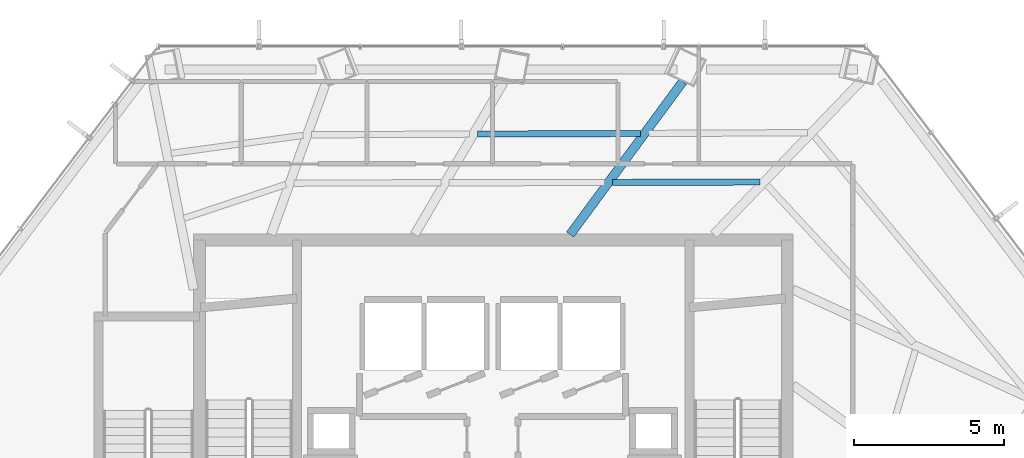
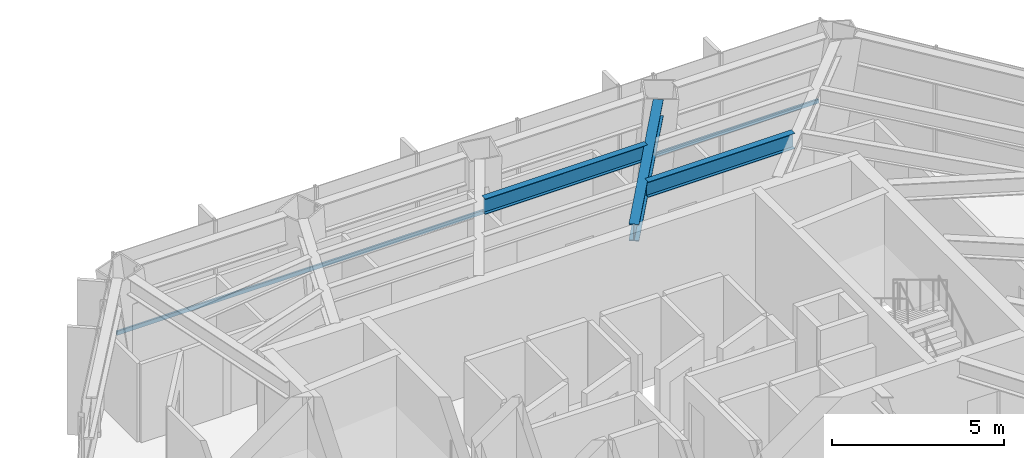
# One storey, part 15 of 26: 3 beams, 1 member, 1 element without a shape of its own.
"""IFC4 building model written with IfcOpenShell, lengths in metres."""

import ifcopenshell
import ifcopenshell.guid

model = None  # the IFC model being written
_history = None  # IfcOwnerHistory: only IFC2X3 demands one
_inside = {}  # id of a spatial element -> (the spatial element, [elements in it])
_under = {}  # id of a project, library or spatial element -> (it, [spatial elements below it])
_declared = {}  # id of a project -> (the project, [libraries it declares])
_typed = {}  # id of a type object -> (the type object, [elements of that type])
_made_of = {}  # id of a material, layer set ... -> (it, [elements and type objects made of it])


def new_model(schema):
    """Start an empty IFC model of exactly this schema.

    Asked for "IFC4X3", IfcOpenShell would pick the latest addendum, in which some entities
    have other attributes; the version numbers below select the first issue.
    IFC2X3 requires an IfcOwnerHistory on every rooted entity: one is made here for all.
    """
    global model, _history
    if schema == "IFC4X3":
        model = ifcopenshell.file(schema_version=(4, 3, 0, 0))
    else:
        model = ifcopenshell.file(schema=schema)
    _inside.clear()
    _under.clear()
    _declared.clear()
    _typed.clear()
    _made_of.clear()
    _history = None
    if model.schema == "IFC2X3":
        org = make("IfcOrganization", Name="unknown")
        user = make(
            "IfcPersonAndOrganization",
            ThePerson=make("IfcPerson", FamilyName="unknown"),
            TheOrganization=org,
        )
        app = make(
            "IfcApplication",
            ApplicationDeveloper=org,
            Version="unknown",
            ApplicationFullName="unknown",
            ApplicationIdentifier="unknown",
        )
        _history = make(
            "IfcOwnerHistory",
            OwningUser=user,
            OwningApplication=app,
            ChangeAction="ADDED",
            CreationDate=0,
        )
    return model


def make(cls, **values):
    """One entity of the class cls with the attributes given. An attribute that is None is left unset."""
    return model.create_entity(
        cls, **{name: value for name, value in values.items() if value is not None}
    )


def rooted(cls, **values):
    """An entity with a GlobalId (a new one), such as an element, a storey or a relation."""
    return make(cls, GlobalId=ifcopenshell.guid.new(), OwnerHistory=_history, **values)


def si_unit(unit_type, name, prefix=None):
    """IfcSIUnit, for example si_unit("LENGTHUNIT", "METRE", prefix="MILLI")."""
    return make("IfcSIUnit", UnitType=unit_type, Prefix=prefix, Name=name)


def assignment(units):
    """IfcUnitAssignment: the units of a project."""
    return None if units is None else make("IfcUnitAssignment", Units=units)


def point(xyz):
    """IfcCartesianPoint."""
    return None if xyz is None else make("IfcCartesianPoint", Coordinates=xyz)


def direction(xyz):
    """IfcDirection."""
    return None if xyz is None else make("IfcDirection", DirectionRatios=xyz)


def frame(location, z_axis=None, x_axis=None):
    """IfcAxis2Placement3D, a coordinate frame: its origin and axes. An axis left out is left unset."""
    return make(
        "IfcAxis2Placement3D",
        Location=point(location),
        Axis=direction(z_axis),
        RefDirection=direction(x_axis),
    )


def frame_2d(location, x_axis=None):
    """IfcAxis2Placement2D, a coordinate frame in the plane: its origin and x axis."""
    return make(
        "IfcAxis2Placement2D", Location=point(location), RefDirection=direction(x_axis)
    )


def origin():
    """The frame at (0, 0, 0) with its axes left unset."""
    return frame((0.0, 0.0, 0.0))


def origin_2d():
    """The frame at (0, 0) in the plane with its x axis left unset."""
    return frame_2d((0.0, 0.0))


def place(relative_to, where):
    """IfcLocalPlacement: puts the frame where relative to a parent placement (None: the world)."""
    return make(
        "IfcLocalPlacement", PlacementRelTo=relative_to, RelativePlacement=where
    )


def context(
    kind, dimensions, precision=None, world=None, true_north=None, identifier=None
):
    """IfcGeometricRepresentationContext, for example the 3D "Model" context."""
    return make(
        "IfcGeometricRepresentationContext",
        ContextIdentifier=identifier,
        ContextType=kind,
        CoordinateSpaceDimension=dimensions,
        Precision=precision,
        WorldCoordinateSystem=world,
        TrueNorth=true_north,
    )


def subcontext(parent, identifier, kind, view, scale=None):
    """IfcGeometricRepresentationSubContext, for example "Body" below "Model"."""
    return make(
        "IfcGeometricRepresentationSubContext",
        ContextIdentifier=identifier,
        ContextType=kind,
        ParentContext=parent,
        TargetScale=scale,
        TargetView=view,
    )


def project(units=None, contexts=None):
    """IfcProject with its units and contexts."""
    return rooted(
        "IfcProject",
        Name="project",
        RepresentationContexts=contexts,
        UnitsInContext=assignment(units),
    )


def spatial(cls, under=None, at=None, **own):
    """A site, building, storey or space (cls), placed at a placement, below another one or the project."""
    s = rooted(cls, ObjectPlacement=at, **own)
    if under is not None:
        _under.setdefault(under.id(), (under, []))[1].append(s)
    return s


def profile(cls, at=None, kind="AREA", **sizes):
    """A parametric profile (cls). Its sizes go by their IFC names, for example OverallWidth=200.0."""
    return make(cls, ProfileType=kind, Position=at, **sizes)


def hollow_rectangle(**sizes):
    """IfcRectangleHollowProfileDef."""
    return profile("IfcRectangleHollowProfileDef", **sizes)


def i_section(**sizes):
    """IfcIShapeProfileDef."""
    return profile("IfcIShapeProfileDef", **sizes)


def extrude(swept, where, along, depth):
    """IfcExtrudedAreaSolid: the profile swept, set in the frame where, extruded along a direction by depth."""
    return make(
        "IfcExtrudedAreaSolid",
        SweptArea=swept,
        Position=where,
        ExtrudedDirection=direction(along),
        Depth=depth,
    )


def shape(context_of_items, identifier, shape_type, items):
    """IfcShapeRepresentation: the items that make up one representation, for example the "Body"."""
    return make(
        "IfcShapeRepresentation",
        ContextOfItems=context_of_items,
        RepresentationIdentifier=identifier,
        RepresentationType=shape_type,
        Items=items,
    )


def material(Name=None, Category=None):
    """IfcMaterial."""
    return make("IfcMaterial", Name=Name, Category=Category)


def layer(
    of_material, thickness, ventilated=None, Name=None, Category=None, Priority=None
):
    """IfcMaterialLayer: one layer of a wall or slab, of a material (None: an air gap)."""
    return make(
        "IfcMaterialLayer",
        Material=of_material,
        LayerThickness=thickness,
        IsVentilated=ventilated,
        Name=Name,
        Category=Category,
        Priority=Priority,
    )


def layer_set(layers, Name=None):
    """IfcMaterialLayerSet."""
    return make("IfcMaterialLayerSet", MaterialLayers=layers, LayerSetName=Name)


def material_profile(
    of_material, cross_section, Name=None, Category=None, Priority=None
):
    """IfcMaterialProfile: a cross section and its material."""
    return make(
        "IfcMaterialProfile",
        Name=Name,
        Material=of_material,
        Profile=cross_section,
        Priority=Priority,
        Category=Category,
    )


def profile_set(profiles, Name=None, composite=None):
    """IfcMaterialProfileSet."""
    return make(
        "IfcMaterialProfileSet",
        Name=Name,
        MaterialProfiles=profiles,
        CompositeProfile=composite,
    )


def made_of(thing, what):
    """Note that an element or type object is made of a material, layer set ...; save() writes the relation."""
    if what is not None:
        _made_of.setdefault(what.id(), (what, []))[1].append(thing)
    return thing


def type_object(cls, material=None, **own):
    """A type object (cls), such as IfcWallType, which elements share."""
    return made_of(rooted(cls, **own), material)


def element(
    cls,
    number,
    at=None,
    inside=None,
    cuts=None,
    type_object=None,
    material=None,
    context=None,
    identifier="Body",
    shape_type=None,
    held_by="IfcProductDefinitionShape",
    body=None,
    shapes=None,
    **own,
):
    """One element of the class cls, such as IfcWall. Its Tag is "e" and its number.

    at: its placement. inside: the storey or other place that contains it. cuts: it is an
    opening in that element (IfcRelVoidsElement). A single representation is given by context,
    identifier, shape_type and body (its items); several are given by shapes. held_by: the class
    of the entity that holds the representations. save() writes the other relations.
    """
    e = rooted(cls, Tag="e%d" % number, ObjectPlacement=at, **own)
    if body is not None:
        shapes = [shape(context, identifier, shape_type, body)]
    if shapes is not None:
        e.Representation = make(held_by, Representations=shapes)
    if inside is not None:
        _inside.setdefault(inside.id(), (inside, []))[1].append(e)
    if cuts is not None:
        rooted(
            "IfcRelVoidsElement", RelatingBuildingElement=cuts, RelatedOpeningElement=e
        )
    if type_object is not None:
        _typed.setdefault(type_object.id(), (type_object, []))[1].append(e)
    return made_of(e, material)


def aggregate(whole, parts):
    """IfcRelAggregates: a whole, such as a stair, and the parts it consists of."""
    return rooted("IfcRelAggregates", RelatingObject=whole, RelatedObjects=parts)


def save(model, path):
    """Write the relations noted so far, then the file.

    IfcRelAggregates (storeys below a building ...), IfcRelContainedInSpatialStructure (elements
    in a storey), IfcRelDefinesByType, IfcRelAssociatesMaterial and IfcRelDeclares: one each for
    every whole, place, type object, material and project.
    """
    for whole, parts in _under.values():
        aggregate(whole, parts)
    for where, things in _inside.values():
        rooted(
            "IfcRelContainedInSpatialStructure",
            RelatedElements=things,
            RelatingStructure=where,
        )
    for kind, things in _typed.values():
        rooted("IfcRelDefinesByType", RelatedObjects=things, RelatingType=kind)
    for what, things in _made_of.values():
        rooted("IfcRelAssociatesMaterial", RelatedObjects=things, RelatingMaterial=what)
    for by, libraries in _declared.values():
        rooted("IfcRelDeclares", RelatingContext=by, RelatedDefinitions=libraries)
    model.write(path)


model = new_model("IFC4")

# Units and contexts
model_context = context("Model", 3, precision=1e-05, world=origin(), true_north=direction((0.0, 1.0)))
body_context = subcontext(model_context, "Body", "Model", "MODEL_VIEW")
ifc_project = project(units=[si_unit("LENGTHUNIT", "METRE"), si_unit("AREAUNIT", "SQUARE_METRE"), si_unit("VOLUMEUNIT", "CUBIC_METRE"), si_unit("PLANEANGLEUNIT", "RADIAN"), si_unit("MASSUNIT", "GRAM", prefix="KILO")], contexts=[model_context])

# Site, building, storey
site_placement = place(None, origin())
site = spatial("IfcSite", under=ifc_project, at=site_placement, CompositionType="ELEMENT")
building_placement = place(site_placement, origin())
building = spatial("IfcBuilding", under=site, at=building_placement, Name="Zarrinselat Tower", CompositionType="ELEMENT")
storey_placement = place(building_placement, frame((0.0, 0.0, 60.179931640625)))
storey = spatial("IfcBuildingStorey", under=building, at=storey_placement, Name="L14", CompositionType="ELEMENT", Elevation=60.179931640625)

# Beams
ifc_material_1 = material(Name="Steel S355J2", Category="steel")
ifc_material_profile_1 = material_profile(ifc_material_1, i_section(OverallWidth=0.300048828125, OverallDepth=0.60009765625, WebThickness=0.015380859375, FlangeThickness=0.030029296875, at=origin_2d()), Name="HEB 600")
ifc_profile_set_1 = profile_set([ifc_material_profile_1], Name="Steel S355J2")
beam_type_1 = type_object("IfcBeamType", Name="BM-HEB600", PredefinedType="BEAM", material=ifc_profile_set_1)
beam_1_placement = place(storey_placement, frame((41.0, 43.639892578125, 3.52001953125), z_axis=(0.593087649851, 0.80513790098, 0.0), x_axis=(-0.80513790098, 0.593087649851, 0.0)))
element("IfcBeam", 1, at=beam_1_placement, inside=storey, type_object=beam_type_1, Name="L14 Radial Primary Girder RG02", PredefinedType="BEAM", context=body_context, shape_type="SweptSolid", body=[
    extrude(i_section(OverallWidth=0.300048828125, OverallDepth=0.60009765625, WebThickness=0.015380859375, FlangeThickness=0.030029296875, at=origin_2d()), origin(), (0.0, 0.0, 1.0), 6.35546875),
])
ifc_material_2 = material(Name="Steel S355J2", Category="steel")
ifc_material_profile_2 = material_profile(ifc_material_2, i_section(OverallWidth=0.2099609375, OverallDepth=0.550048828125, WebThickness=0.010986328125, FlangeThickness=0.01708984375, at=origin_2d()), Name="IPE 550")
ifc_profile_set_2 = profile_set([ifc_material_profile_2], Name="Steel S355J2")
beam_type_2 = type_object("IfcBeamType", Name="BM-IPE550", PredefinedType="JOIST", material=ifc_profile_set_2)
beam_2_placement = place(storey_placement, frame((42.421630859375, 45.380126953125, 3.545166015625), z_axis=(0.999996143911, 0.002777078307, 0.0), x_axis=(-0.002777078307, 0.999996143911, 0.0)))
element("IfcBeam", 2, at=beam_2_placement, inside=storey, type_object=beam_type_2, Name="L14 Composite Floor Joist 7-2", PredefinedType="JOIST", context=body_context, shape_type="SweptSolid", body=[
    extrude(i_section(OverallWidth=0.2099609375, OverallDepth=0.550048828125, WebThickness=0.010986328125, FlangeThickness=0.01708984375, at=origin_2d()), origin(), (0.0, 0.0, 1.0), 4.923095703125),
])
beam_3_placement = place(storey_placement, frame((37.9052734375, 46.998291015625, 3.545166015625), z_axis=(0.999994340842, 0.003364265714, 0.0), x_axis=(-0.003364265714, 0.999994340842, 0.0)))
element("IfcBeam", 3, at=beam_3_placement, inside=storey, type_object=beam_type_2, Name="L14 Composite Floor Joist 8-1", PredefinedType="JOIST", context=body_context, shape_type="SweptSolid", body=[
    extrude(i_section(OverallWidth=0.2099609375, OverallDepth=0.550048828125, WebThickness=0.010986328125, FlangeThickness=0.01708984375, at=origin_2d()), origin(), (0.0, 0.0, 1.0), 5.442626953125),
])

# Curtain wall, member
ifc_material_3 = material(Name="Extruded Aluminium Alloy EN AW-6063 T6", Category="aluminium")
ifc_layer = layer(ifc_material_3, 0.18505859375)
ifc_layer_set = layer_set([ifc_layer], Name="Extruded Aluminium Alloy EN AW-6063 T6")
curtain_wall_type = type_object("IfcCurtainWallType", Name="CWS-OFF", PredefinedType="NOTDEFINED", material=ifc_layer_set)
curtain_wall_placement = place(storey_placement, origin())
curtain_wall = element("IfcCurtainWall", 4, at=curtain_wall_placement, inside=storey, type_object=curtain_wall_type, Name="L14 Unitised Curtain Wall CW-L14-E01", PredefinedType="NOTDEFINED")
ifc_material_4 = material(Name="Extruded Aluminium Alloy EN AW-6063 T6", Category="aluminium")
ifc_material_profile_3 = material_profile(ifc_material_4, hollow_rectangle(XDim=0.06005859375, YDim=0.139892578125, WallThickness=0.00390625, at=origin_2d()), Name="RHS 140x60x4")
ifc_profile_set_3 = profile_set([ifc_material_profile_3], Name="Extruded Aluminium Alloy EN AW-6063 T6")
member_type = type_object("IfcMemberType", Name="MEM-CW-TRN", PredefinedType="USERDEFINED", material=ifc_profile_set_3)
member_placement = place(storey_placement, frame((50.80712890625, 49.927734375, 0.949951171875), z_axis=(-1.0, 0.0, 0.0), x_axis=(0.0, -1.0, 0.0)))
member = element("IfcMember", 5, at=member_placement, type_object=member_type, Name="CW-L14-E01 Transom 1", ObjectType="TRANSOM", PredefinedType="USERDEFINED", context=body_context, shape_type="SweptSolid", body=[
    extrude(hollow_rectangle(XDim=0.06005859375, YDim=0.139892578125, WallThickness=0.00390625, at=origin_2d()), origin(), (0.0, 0.0, 1.0), 23.505615234375),
])
aggregate(curtain_wall, [member])

save(model, "model.ifc")
